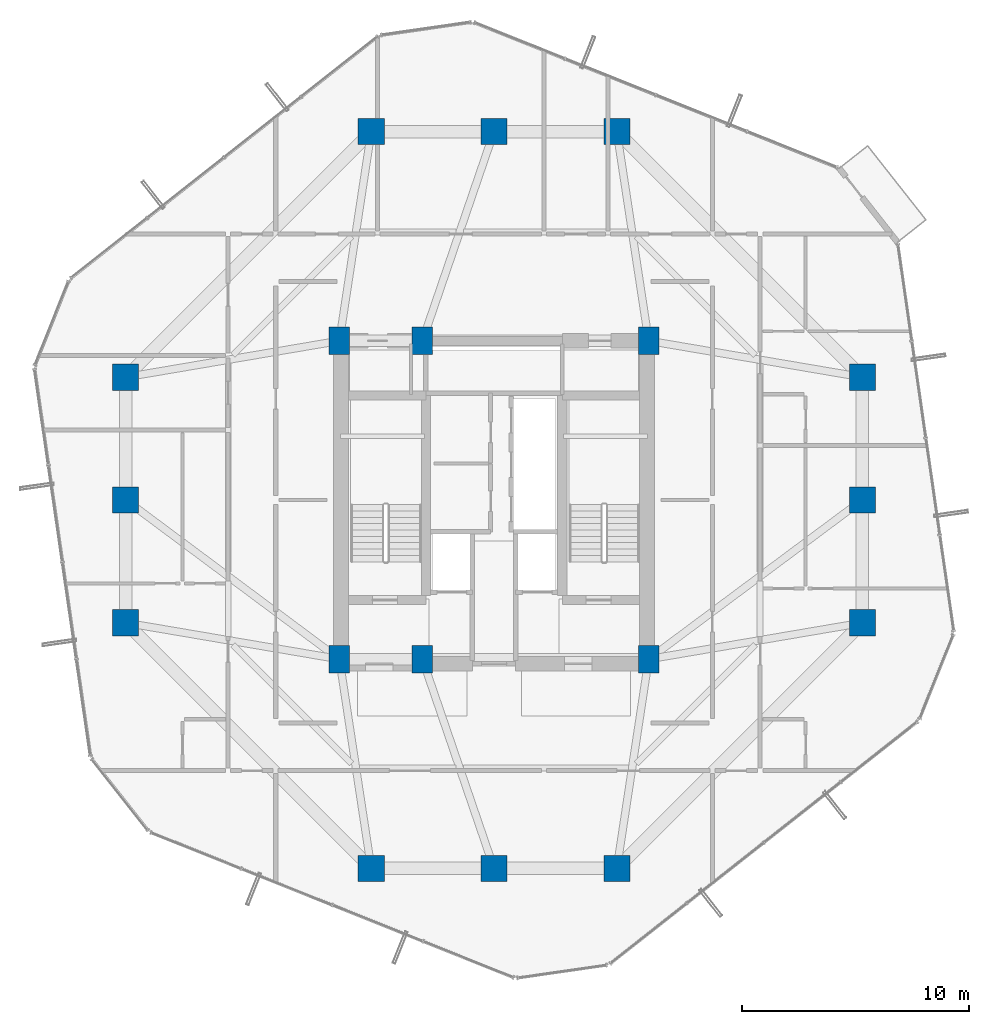
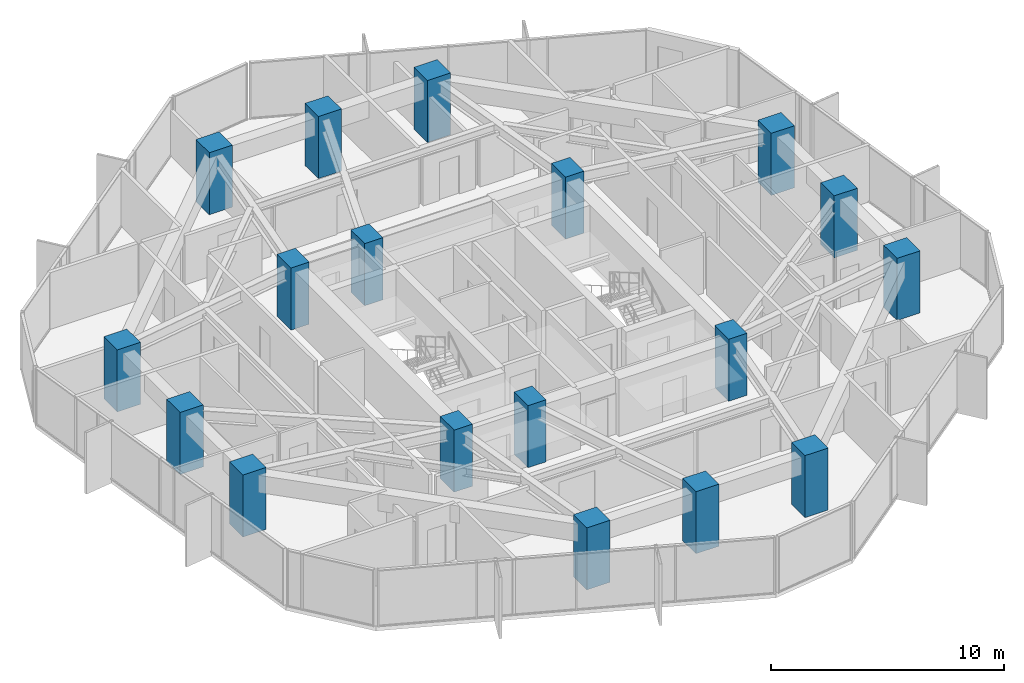
# One storey, part 1 of 34: 18 columns.
"""IFC4 building model written with IfcOpenShell, lengths in metres."""

from ifc_helpers import new_model, si_unit, direction, frame, origin, origin_2d, place, context, subcontext, project, spatial, rectangle, extrude, material, material_profile, profile_set, type_object, element, save


model = new_model("IFC4")

# Units and contexts
model_context = context("Model", 3, precision=1e-05, world=origin(), true_north=direction((0.0, 1.0)))
body_context = subcontext(model_context, "Body", "Model", "MODEL_VIEW")
ifc_project = project(units=[si_unit("LENGTHUNIT", "METRE"), si_unit("AREAUNIT", "SQUARE_METRE"), si_unit("VOLUMEUNIT", "CUBIC_METRE"), si_unit("PLANEANGLEUNIT", "RADIAN"), si_unit("MASSUNIT", "GRAM", prefix="KILO")], contexts=[model_context])

# Site, building, storey
site_placement = place(None, origin())
site = spatial("IfcSite", under=ifc_project, at=site_placement, CompositionType="ELEMENT")
building_placement = place(site_placement, origin())
building = spatial("IfcBuilding", under=site, at=building_placement, Name="Veraguas Prism Commons", CompositionType="ELEMENT")
storey_placement = place(building_placement, frame((0.0, 0.0, 155.5)))
storey = spatial("IfcBuildingStorey", under=building, at=storey_placement, Name="L44", CompositionType="ELEMENT", Elevation=155.5)

# Columns
ifc_material = material(Name="Concrete C60/75", Category="concrete")
ifc_material_profile_1 = material_profile(ifc_material, rectangle(XDim=1.14990234375, YDim=1.14990234375, at=origin_2d()), Name="RC1150X1150")
ifc_profile_set_1 = profile_set([ifc_material_profile_1], Name="Concrete C60/75")
column_type_1 = type_object("IfcColumnType", Name="Column Tube Z2 RC 1150x1150", PredefinedType="COLUMN", material=ifc_profile_set_1)
for number, where, z_axis, x_axis, name in (
    (1, (40.199951171875, 18.60009765625, 0.0), (0.0, 0.0, 1.0), (1.0, 0.0, 0.0), "Tower Perimeter Column L44-TB01"),
    (2, (40.199951171875, 24.0, 0.0), (0.0, 0.0, 1.0), (1.0, 0.0, 0.0), "Tower Perimeter Column L44-TB02"),
    (3, (40.199951171875, 29.39990234375, 0.0), (0.0, 0.0, 1.0), (1.0, 0.0, 0.0), "Tower Perimeter Column L44-TB03"),
    (4, (29.39990234375, 40.199951171875, 0.0), (0.0, 0.0, 1.0), (1.0, 0.0, 0.0), "Tower Perimeter Column L44-TB04"),
    (5, (24.0, 40.199951171875, 0.0), (0.0, 0.0, 1.0), (1.0, 0.0, 0.0), "Tower Perimeter Column L44-TB05"),
    (6, (18.60009765625, 40.199951171875, 0.0), (0.0, 0.0, 1.0), (1.0, 0.0, 0.0), "Tower Perimeter Column L44-TB06"),
    (7, (7.800048828125, 29.39990234375, 0.0), (0.0, 0.0, 1.0), (1.0, 0.0, 0.0), "Tower Perimeter Column L44-TB07"),
    (8, (7.800048828125, 24.0, 0.0), (0.0, 0.0, 1.0), (1.0, 0.0, 0.0), "Tower Perimeter Column L44-TB08"),
    (9, (7.800048828125, 18.60009765625, 0.0), (0.0, 0.0, 1.0), (1.0, 0.0, 0.0), "Tower Perimeter Column L44-TB09"),
    (10, (18.60009765625, 7.800048828125, 0.0), (0.0, 0.0, 1.0), (1.0, 0.0, 0.0), "Tower Perimeter Column L44-TB10"),
    (11, (24.0, 7.800048828125, 0.0), (0.0, 0.0, 1.0), (1.0, 0.0, 0.0), "Tower Perimeter Column L44-TB11"),
    (12, (29.39990234375, 7.800048828125, 0.0), (0.0, 0.0, 1.0), (1.0, 0.0, 0.0), "Tower Perimeter Column L44-TB12"),
):
    element("IfcColumn", number, at=place(storey_placement, frame(where, z_axis=z_axis, x_axis=x_axis)), inside=storey, type_object=column_type_1, Name=name, PredefinedType="COLUMN", context=body_context, shape_type="SweptSolid", body=[
        extrude(rectangle(XDim=1.14990234375, YDim=1.14990234375, at=origin_2d()), origin(), (0.0, 0.0, 1.0), 3.25),
    ])
ifc_material_profile_2 = material_profile(ifc_material, rectangle(XDim=0.89990234375, YDim=1.199951171875, at=origin_2d()), Name="RC900X1200")
ifc_profile_set_2 = profile_set([ifc_material_profile_2], Name="Concrete C60/75")
column_type_2 = type_object("IfcColumnType", Name="Pilaster Core Lower RC 900x1200", PredefinedType="PILASTER", material=ifc_profile_set_2)
for number, where, z_axis, x_axis, name in (
    (13, (17.199951171875, 17.0, 0.0), (0.0, 0.0, 1.0), (1.0, 0.0, 0.0), "Core Pilaster Column L44-CR1"),
    (14, (20.85009765625, 17.0, 0.0), (0.0, 0.0, 1.0), (1.0, 0.0, 0.0), "Core Pilaster Column L44-CR2"),
    (15, (30.800048828125, 17.0, 0.0), (0.0, 0.0, 1.0), (1.0, 0.0, 0.0), "Core Pilaster Column L44-CR3"),
    (16, (17.199951171875, 31.0, 0.0), (0.0, 0.0, 1.0), (1.0, 0.0, 0.0), "Core Pilaster Column L44-CR4"),
    (17, (20.85009765625, 31.0, 0.0), (0.0, 0.0, 1.0), (1.0, 0.0, 0.0), "Core Pilaster Column L44-CR5"),
    (18, (30.800048828125, 31.0, 0.0), (0.0, 0.0, 1.0), (1.0, 0.0, 0.0), "Core Pilaster Column L44-CR6"),
):
    element("IfcColumn", number, at=place(storey_placement, frame(where, z_axis=z_axis, x_axis=x_axis)), inside=storey, type_object=column_type_2, Name=name, PredefinedType="PILASTER", context=body_context, shape_type="SweptSolid", body=[
        extrude(rectangle(XDim=0.89990234375, YDim=1.199951171875, at=origin_2d()), origin(), (0.0, 0.0, 1.0), 3.25),
    ])

save(model, "model.ifc")
